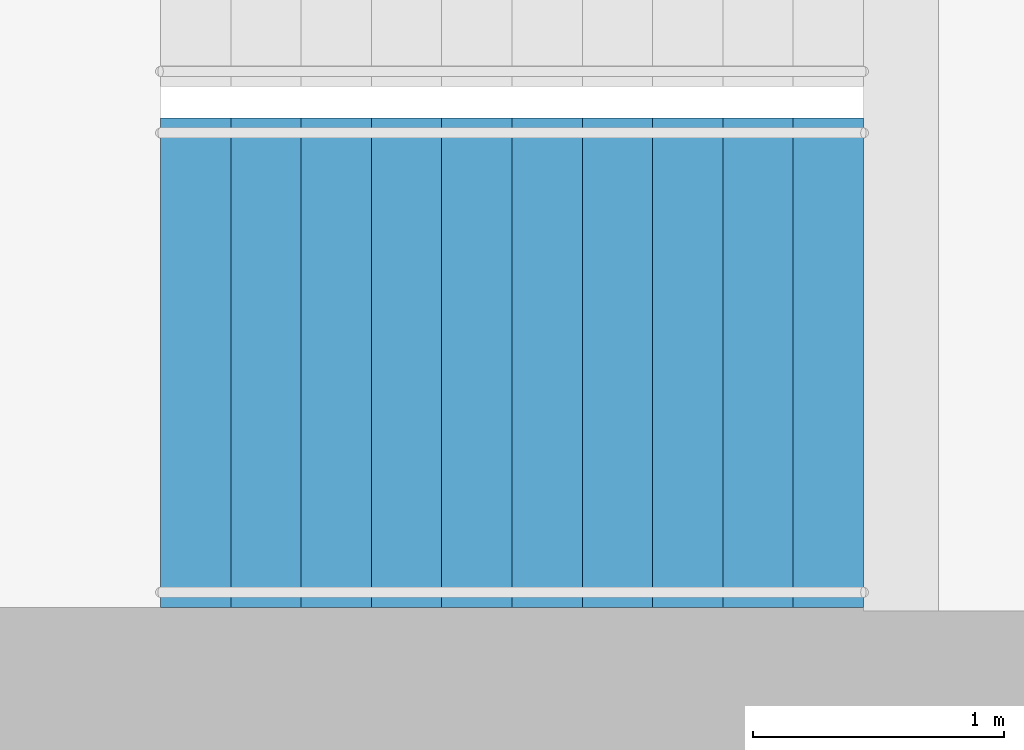
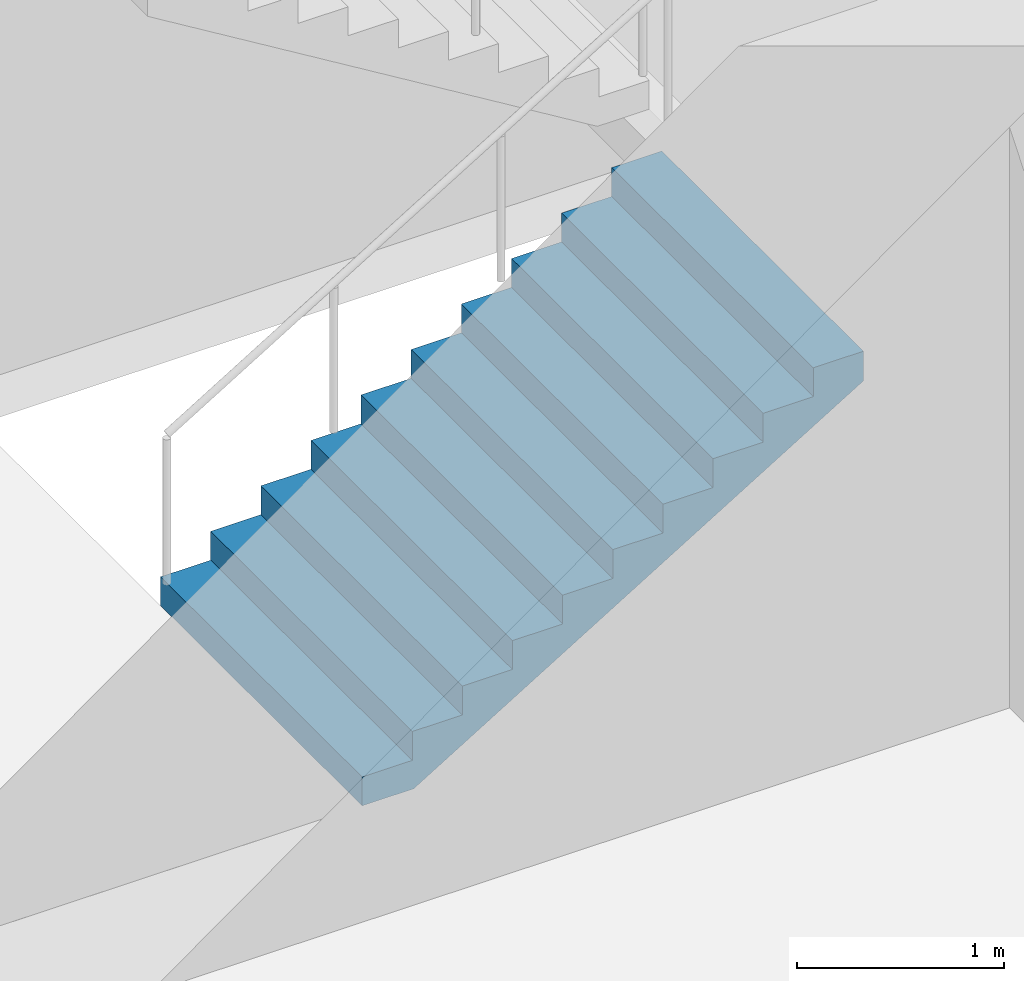
# One storey, part 18 of 22: 1 stair flight, 1 element without a shape of its own.
"""IFC4 building model written with IfcOpenShell, lengths in metres."""

import ifcopenshell
import ifcopenshell.guid

model = None  # the IFC model being written
_history = None  # IfcOwnerHistory: only IFC2X3 demands one
_inside = {}  # id of a spatial element -> (the spatial element, [elements in it])
_under = {}  # id of a project, library or spatial element -> (it, [spatial elements below it])
_declared = {}  # id of a project -> (the project, [libraries it declares])
_typed = {}  # id of a type object -> (the type object, [elements of that type])
_made_of = {}  # id of a material, layer set ... -> (it, [elements and type objects made of it])


def new_model(schema):
    """Start an empty IFC model of exactly this schema.

    Asked for "IFC4X3", IfcOpenShell would pick the latest addendum, in which some entities
    have other attributes; the version numbers below select the first issue.
    IFC2X3 requires an IfcOwnerHistory on every rooted entity: one is made here for all.
    """
    global model, _history
    if schema == "IFC4X3":
        model = ifcopenshell.file(schema_version=(4, 3, 0, 0))
    else:
        model = ifcopenshell.file(schema=schema)
    _inside.clear()
    _under.clear()
    _declared.clear()
    _typed.clear()
    _made_of.clear()
    _history = None
    if model.schema == "IFC2X3":
        org = make("IfcOrganization", Name="unknown")
        user = make(
            "IfcPersonAndOrganization",
            ThePerson=make("IfcPerson", FamilyName="unknown"),
            TheOrganization=org,
        )
        app = make(
            "IfcApplication",
            ApplicationDeveloper=org,
            Version="unknown",
            ApplicationFullName="unknown",
            ApplicationIdentifier="unknown",
        )
        _history = make(
            "IfcOwnerHistory",
            OwningUser=user,
            OwningApplication=app,
            ChangeAction="ADDED",
            CreationDate=0,
        )
    return model


def make(cls, **values):
    """One entity of the class cls with the attributes given. An attribute that is None is left unset."""
    return model.create_entity(
        cls, **{name: value for name, value in values.items() if value is not None}
    )


def rooted(cls, **values):
    """An entity with a GlobalId (a new one), such as an element, a storey or a relation."""
    return make(cls, GlobalId=ifcopenshell.guid.new(), OwnerHistory=_history, **values)


def si_unit(unit_type, name, prefix=None):
    """IfcSIUnit, for example si_unit("LENGTHUNIT", "METRE", prefix="MILLI")."""
    return make("IfcSIUnit", UnitType=unit_type, Prefix=prefix, Name=name)


def assignment(units):
    """IfcUnitAssignment: the units of a project."""
    return None if units is None else make("IfcUnitAssignment", Units=units)


def point(xyz):
    """IfcCartesianPoint."""
    return None if xyz is None else make("IfcCartesianPoint", Coordinates=xyz)


def direction(xyz):
    """IfcDirection."""
    return None if xyz is None else make("IfcDirection", DirectionRatios=xyz)


def frame(location, z_axis=None, x_axis=None):
    """IfcAxis2Placement3D, a coordinate frame: its origin and axes. An axis left out is left unset."""
    return make(
        "IfcAxis2Placement3D",
        Location=point(location),
        Axis=direction(z_axis),
        RefDirection=direction(x_axis),
    )


def origin():
    """The frame at (0, 0, 0) with its axes left unset."""
    return frame((0.0, 0.0, 0.0))


def place(relative_to, where):
    """IfcLocalPlacement: puts the frame where relative to a parent placement (None: the world)."""
    return make(
        "IfcLocalPlacement", PlacementRelTo=relative_to, RelativePlacement=where
    )


def context(
    kind, dimensions, precision=None, world=None, true_north=None, identifier=None
):
    """IfcGeometricRepresentationContext, for example the 3D "Model" context."""
    return make(
        "IfcGeometricRepresentationContext",
        ContextIdentifier=identifier,
        ContextType=kind,
        CoordinateSpaceDimension=dimensions,
        Precision=precision,
        WorldCoordinateSystem=world,
        TrueNorth=true_north,
    )


def subcontext(parent, identifier, kind, view, scale=None):
    """IfcGeometricRepresentationSubContext, for example "Body" below "Model"."""
    return make(
        "IfcGeometricRepresentationSubContext",
        ContextIdentifier=identifier,
        ContextType=kind,
        ParentContext=parent,
        TargetScale=scale,
        TargetView=view,
    )


def project(units=None, contexts=None):
    """IfcProject with its units and contexts."""
    return rooted(
        "IfcProject",
        Name="project",
        RepresentationContexts=contexts,
        UnitsInContext=assignment(units),
    )


def spatial(cls, under=None, at=None, **own):
    """A site, building, storey or space (cls), placed at a placement, below another one or the project."""
    s = rooted(cls, ObjectPlacement=at, **own)
    if under is not None:
        _under.setdefault(under.id(), (under, []))[1].append(s)
    return s


def point_list(points):
    """IfcCartesianPointList2D or 3D."""
    cls = (
        "IfcCartesianPointList2D" if len(points[0]) == 2 else "IfcCartesianPointList3D"
    )
    return make(cls, CoordList=points)


def triangles(points, corners, closed=None, point_numbers=None):
    """IfcTriangulatedFaceSet: each triangle names its three corners, points numbered from 1."""
    return make(
        "IfcTriangulatedFaceSet",
        Coordinates=point_list(points),
        Closed=closed,
        CoordIndex=corners,
        PnIndex=point_numbers,
    )


def shape(context_of_items, identifier, shape_type, items):
    """IfcShapeRepresentation: the items that make up one representation, for example the "Body"."""
    return make(
        "IfcShapeRepresentation",
        ContextOfItems=context_of_items,
        RepresentationIdentifier=identifier,
        RepresentationType=shape_type,
        Items=items,
    )


def material(Name=None, Category=None):
    """IfcMaterial."""
    return make("IfcMaterial", Name=Name, Category=Category)


def made_of(thing, what):
    """Note that an element or type object is made of a material, layer set ...; save() writes the relation."""
    if what is not None:
        _made_of.setdefault(what.id(), (what, []))[1].append(thing)
    return thing


def type_object(cls, material=None, **own):
    """A type object (cls), such as IfcWallType, which elements share."""
    return made_of(rooted(cls, **own), material)


def element(
    cls,
    number,
    at=None,
    inside=None,
    cuts=None,
    type_object=None,
    material=None,
    context=None,
    identifier="Body",
    shape_type=None,
    held_by="IfcProductDefinitionShape",
    body=None,
    shapes=None,
    **own,
):
    """One element of the class cls, such as IfcWall. Its Tag is "e" and its number.

    at: its placement. inside: the storey or other place that contains it. cuts: it is an
    opening in that element (IfcRelVoidsElement). A single representation is given by context,
    identifier, shape_type and body (its items); several are given by shapes. held_by: the class
    of the entity that holds the representations. save() writes the other relations.
    """
    e = rooted(cls, Tag="e%d" % number, ObjectPlacement=at, **own)
    if body is not None:
        shapes = [shape(context, identifier, shape_type, body)]
    if shapes is not None:
        e.Representation = make(held_by, Representations=shapes)
    if inside is not None:
        _inside.setdefault(inside.id(), (inside, []))[1].append(e)
    if cuts is not None:
        rooted(
            "IfcRelVoidsElement", RelatingBuildingElement=cuts, RelatedOpeningElement=e
        )
    if type_object is not None:
        _typed.setdefault(type_object.id(), (type_object, []))[1].append(e)
    return made_of(e, material)


def aggregate(whole, parts):
    """IfcRelAggregates: a whole, such as a stair, and the parts it consists of."""
    return rooted("IfcRelAggregates", RelatingObject=whole, RelatedObjects=parts)


def save(model, path):
    """Write the relations noted so far, then the file.

    IfcRelAggregates (storeys below a building ...), IfcRelContainedInSpatialStructure (elements
    in a storey), IfcRelDefinesByType, IfcRelAssociatesMaterial and IfcRelDeclares: one each for
    every whole, place, type object, material and project.
    """
    for whole, parts in _under.values():
        aggregate(whole, parts)
    for where, things in _inside.values():
        rooted(
            "IfcRelContainedInSpatialStructure",
            RelatedElements=things,
            RelatingStructure=where,
        )
    for kind, things in _typed.values():
        rooted("IfcRelDefinesByType", RelatedObjects=things, RelatingType=kind)
    for what, things in _made_of.values():
        rooted("IfcRelAssociatesMaterial", RelatedObjects=things, RelatingMaterial=what)
    for by, libraries in _declared.values():
        rooted("IfcRelDeclares", RelatingContext=by, RelatedDefinitions=libraries)
    model.write(path)


model = new_model("IFC4")

# Units and contexts
model_context = context("Model", 3, precision=1e-05, world=origin(), true_north=direction((0.0, 1.0)))
body_context = subcontext(model_context, "Body", "Model", "MODEL_VIEW")
ifc_project = project(units=[si_unit("LENGTHUNIT", "METRE"), si_unit("AREAUNIT", "SQUARE_METRE"), si_unit("VOLUMEUNIT", "CUBIC_METRE"), si_unit("PLANEANGLEUNIT", "RADIAN"), si_unit("MASSUNIT", "GRAM", prefix="KILO")], contexts=[model_context])

# Site, building, storey
site_placement = place(None, origin())
site = spatial("IfcSite", under=ifc_project, at=site_placement, CompositionType="ELEMENT")
building_placement = place(site_placement, origin())
building = spatial("IfcBuilding", under=site, at=building_placement, Name="Orbita Commons", CompositionType="ELEMENT")
storey_placement = place(building_placement, frame((0.0, 0.0, 156.10009765625)))
storey = spatial("IfcBuildingStorey", under=building, at=storey_placement, Name="L38", CompositionType="ELEMENT", Elevation=156.10009765625)

# Stair, stair flight
ifc_material_1 = material(Name="Precast concrete C40/50", Category="concrete")
stair_type = type_object("IfcStairType", Name="Exit stair S1 2 flights 11 risers 170", PredefinedType="HALF_TURN_STAIR", material=ifc_material_1)
stair_placement = place(storey_placement, origin())
stair = element("IfcStair", 1, at=stair_placement, inside=storey, type_object=stair_type, Name="Exit stair S1 L38", PredefinedType="HALF_TURN_STAIR")
ifc_material_2 = material(Name="Precast concrete C40/50", Category="concrete")
stair_flight_type = type_object("IfcStairFlightType", Name="Stair flight 11 risers 170 x 280", PredefinedType="STRAIGHT", material=ifc_material_2)
stair_flight_placement = place(storey_placement, frame((20.449951171875, 27.199951171875, 0.0), z_axis=(0.0, 0.0, 1.0), x_axis=(1.0, 0.0, 0.0)))
stair_flight = element("IfcStairFlight", 2, at=stair_flight_placement, type_object=stair_flight_type, Name="S1 flight 1", NumberOfRisers=11, NumberOfTreads=10, PredefinedType="STRAIGHT", RiserHeight=0.170454545, TreadLength=0.28, context=body_context, shape_type="Tessellation", body=[
    triangles([(0.0, 0.974976, 0.0), (0.0, 0.974976, 0.021307), (0.0, 0.81248, 0.021307), (0.0, 0.81248, 0.0), (0.0, 0.649984, 0.021307), (0.0, 0.649984, 0.0), (0.0, 0.487488, 0.021307), (0.0, 0.487488, 0.0), (0.0, 0.324992, 0.021307), (0.0, 0.324992, 0.0), (0.0, 0.162496, 0.021307), (0.0, 0.162496, 0.0), (0.0, 0.0, 0.021307), (0.0, 0.0, 0.0), (0.0, -0.162496, 0.021307), (0.0, -0.162496, 0.0), (0.0, -0.324992, 0.021307), (0.0, -0.324992, 0.0), (0.0, -0.487488, 0.021307), (0.0, -0.487488, 0.0), (0.0, -0.649984, 0.021307), (0.0, -0.649984, 0.0), (0.0, -0.81248, 0.021307), (0.0, -0.81248, 0.0), (0.0, -0.974976, 0.021307), (0.0, -0.974976, 0.0), (0.0, 0.974976, 0.042614), (0.0, 0.81248, 0.042614), (0.0, 0.649984, 0.042614), (0.0, 0.487488, 0.042614), (0.0, 0.324992, 0.042614), (0.0, 0.162496, 0.042614), (0.0, 0.0, 0.042614), (0.0, -0.162496, 0.042614), (0.0, -0.324992, 0.042614), (0.0, -0.487488, 0.042614), (0.0, -0.649984, 0.042614), (0.0, -0.81248, 0.042614), (0.0, -0.974976, 0.042614), (0.0, 0.974976, 0.06392), (0.0, 0.81248, 0.06392), (0.0, 0.649984, 0.06392), (0.0, 0.487488, 0.06392), (0.0, 0.324992, 0.06392), (0.0, 0.162496, 0.06392), (0.0, 0.0, 0.06392), (0.0, -0.162496, 0.06392), (0.0, -0.324992, 0.06392), (0.0, -0.487488, 0.06392), (0.0, -0.649984, 0.06392), (0.0, -0.81248, 0.06392), (0.0, -0.974976, 0.06392), (0.0, 0.974976, 0.085227), (0.0, 0.81248, 0.085227), (0.0, 0.649984, 0.085227), (0.0, 0.487488, 0.085227), (0.0, 0.324992, 0.085227), (0.0, 0.162496, 0.085227), (0.0, 0.0, 0.085227), (0.0, -0.162496, 0.085227), (0.0, -0.324992, 0.085227), (0.0, -0.487488, 0.085227), (0.0, -0.649984, 0.085227), (0.0, -0.81248, 0.085227), (0.0, -0.974976, 0.085227), (0.0, 0.974976, 0.106534), (0.0, 0.81248, 0.106534), (0.0, 0.649984, 0.106534), (0.0, 0.487488, 0.106534), (0.0, 0.324992, 0.106534), (0.0, 0.162496, 0.106534), (0.0, 0.0, 0.106534), (0.0, -0.162496, 0.106534), (0.0, -0.324992, 0.106534), (0.0, -0.487488, 0.106534), (0.0, -0.649984, 0.106534), (0.0, -0.81248, 0.106534), (0.0, -0.974976, 0.106534), (0.0, 0.974976, 0.127841), (0.0, 0.81248, 0.127841), (0.0, 0.649984, 0.127841), (0.0, 0.487488, 0.127841), (0.0, 0.324992, 0.127841), (0.0, 0.162496, 0.127841), (0.0, 0.0, 0.127841), (0.0, -0.162496, 0.127841), (0.0, -0.324992, 0.127841), (0.0, -0.487488, 0.127841), (0.0, -0.649984, 0.127841), (0.0, -0.81248, 0.127841), (0.0, -0.974976, 0.127841), (0.0, 0.974976, 0.149148), (0.0, 0.81248, 0.149148), (0.0, 0.649984, 0.149148), (0.0, 0.487488, 0.149148), (0.0, 0.324992, 0.149148), (0.0, 0.162496, 0.149148), (0.0, 0.0, 0.149148), (0.0, -0.162496, 0.149148), (0.0, -0.324992, 0.149148), (0.0, -0.487488, 0.149148), (0.0, -0.649984, 0.149148), (0.0, -0.81248, 0.149148), (0.0, -0.974976, 0.149148), (0.0, 0.974976, 0.170455), (0.0, 0.81248, 0.170455), (0.0, 0.649984, 0.170455), (0.0, 0.487488, 0.170455), (0.0, 0.324992, 0.170455), (0.0, 0.162496, 0.170455), (0.0, 0.0, 0.170455), (0.0, -0.162496, 0.170455), (0.0, -0.324992, 0.170455), (0.0, -0.487488, 0.170455), (0.0, -0.649984, 0.170455), (0.0, -0.81248, 0.170455), (0.0, -0.974976, 0.170455), (0.28, 0.974976, 0.170455), (0.28, 0.81248, 0.170455), (0.28, 0.649984, 0.170455), (0.28, 0.487488, 0.170455), (0.28, 0.324992, 0.170455), (0.28, 0.162496, 0.170455), (0.28, 0.0, 0.170455), (0.28, -0.162496, 0.170455), (0.28, -0.324992, 0.170455), (0.28, -0.487488, 0.170455), (0.28, -0.649984, 0.170455), (0.28, -0.81248, 0.170455), (0.28, -0.974976, 0.170455), (0.28, 0.974976, 0.340909), (0.28, 0.81248, 0.340909), (0.28, 0.649984, 0.340909), (0.28, 0.487488, 0.340909), (0.28, 0.324992, 0.340909), (0.28, 0.162496, 0.340909), (0.28, 0.0, 0.340909), (0.28, -0.162496, 0.340909), (0.28, -0.324992, 0.340909), (0.28, -0.487488, 0.340909), (0.28, -0.649984, 0.340909), (0.28, -0.81248, 0.340909), (0.28, -0.974976, 0.340909), (0.56, 0.974976, 0.340909), (0.56, 0.81248, 0.340909), (0.56, 0.649984, 0.340909), (0.56, 0.487488, 0.340909), (0.56, 0.324992, 0.340909), (0.56, 0.162496, 0.340909), (0.56, 0.0, 0.340909), (0.56, -0.162496, 0.340909), (0.56, -0.324992, 0.340909), (0.56, -0.487488, 0.340909), (0.56, -0.649984, 0.340909), (0.56, -0.81248, 0.340909), (0.56, -0.974976, 0.340909), (0.56, 0.974976, 0.511364), (0.56, 0.81248, 0.511364), (0.56, 0.649984, 0.511364), (0.56, 0.487488, 0.511364), (0.56, 0.324992, 0.511364), (0.56, 0.162496, 0.511364), (0.56, 0.0, 0.511364), (0.56, -0.162496, 0.511364), (0.56, -0.324992, 0.511364), (0.56, -0.487488, 0.511364), (0.56, -0.649984, 0.511364), (0.56, -0.81248, 0.511364), (0.56, -0.974976, 0.511364), (0.84, 0.974976, 0.511364), (0.84, 0.81248, 0.511364), (0.84, 0.649984, 0.511364), (0.84, 0.487488, 0.511364), (0.84, 0.324992, 0.511364), (0.84, 0.162496, 0.511364), (0.84, 0.0, 0.511364), (0.84, -0.162496, 0.511364), (0.84, -0.324992, 0.511364), (0.84, -0.487488, 0.511364), (0.84, -0.649984, 0.511364), (0.84, -0.81248, 0.511364), (0.84, -0.974976, 0.511364), (0.84, 0.974976, 0.681818), (0.84, 0.81248, 0.681818), (0.84, 0.649984, 0.681818), (0.84, 0.487488, 0.681818), (0.84, 0.324992, 0.681818), (0.84, 0.162496, 0.681818), (0.84, 0.0, 0.681818), (0.84, -0.162496, 0.681818), (0.84, -0.324992, 0.681818), (0.84, -0.487488, 0.681818), (0.84, -0.649984, 0.681818), (0.84, -0.81248, 0.681818), (0.84, -0.974976, 0.681818), (1.12, 0.974976, 0.681818), (1.12, 0.81248, 0.681818), (1.12, 0.649984, 0.681818), (1.12, 0.487488, 0.681818), (1.12, 0.324992, 0.681818), (1.12, 0.162496, 0.681818), (1.12, 0.0, 0.681818), (1.12, -0.162496, 0.681818), (1.12, -0.324992, 0.681818), (1.12, -0.487488, 0.681818), (1.12, -0.649984, 0.681818), (1.12, -0.81248, 0.681818), (1.12, -0.974976, 0.681818), (1.12, 0.974976, 0.852273), (1.12, 0.81248, 0.852273), (1.12, 0.649984, 0.852273), (1.12, 0.487488, 0.852273), (1.12, 0.324992, 0.852273), (1.12, 0.162496, 0.852273), (1.12, 0.0, 0.852273), (1.12, -0.162496, 0.852273), (1.12, -0.324992, 0.852273), (1.12, -0.487488, 0.852273), (1.12, -0.649984, 0.852273), (1.12, -0.81248, 0.852273), (1.12, -0.974976, 0.852273), (1.4, 0.974976, 0.852273), (1.4, 0.81248, 0.852273), (1.4, 0.649984, 0.852273), (1.4, 0.487488, 0.852273), (1.4, 0.324992, 0.852273), (1.4, 0.162496, 0.852273), (1.4, 0.0, 0.852273), (1.4, -0.162496, 0.852273), (1.4, -0.324992, 0.852273), (1.4, -0.487488, 0.852273), (1.4, -0.649984, 0.852273), (1.4, -0.81248, 0.852273), (1.4, -0.974976, 0.852273), (1.4, 0.974976, 1.022727), (1.4, 0.81248, 1.022727), (1.4, 0.649984, 1.022727), (1.4, 0.487488, 1.022727), (1.4, 0.324992, 1.022727), (1.4, 0.162496, 1.022727), (1.4, 0.0, 1.022727), (1.4, -0.162496, 1.022727), (1.4, -0.324992, 1.022727), (1.4, -0.487488, 1.022727), (1.4, -0.649984, 1.022727), (1.4, -0.81248, 1.022727), (1.4, -0.974976, 1.022727), (1.68, 0.974976, 1.022727), (1.68, 0.81248, 1.022727), (1.68, 0.649984, 1.022727), (1.68, 0.487488, 1.022727), (1.68, 0.324992, 1.022727), (1.68, 0.162496, 1.022727), (1.68, 0.0, 1.022727), (1.68, -0.162496, 1.022727), (1.68, -0.324992, 1.022727), (1.68, -0.487488, 1.022727), (1.68, -0.649984, 1.022727), (1.68, -0.81248, 1.022727), (1.68, -0.974976, 1.022727), (1.68, 0.974976, 1.193182), (1.68, 0.81248, 1.193182), (1.68, 0.649984, 1.193182), (1.68, 0.487488, 1.193182), (1.68, 0.324992, 1.193182), (1.68, 0.162496, 1.193182), (1.68, 0.0, 1.193182), (1.68, -0.162496, 1.193182), (1.68, -0.324992, 1.193182), (1.68, -0.487488, 1.193182), (1.68, -0.649984, 1.193182), (1.68, -0.81248, 1.193182), (1.68, -0.974976, 1.193182), (1.96, 0.974976, 1.193182), (1.96, 0.81248, 1.193182), (1.96, 0.649984, 1.193182), (1.96, 0.487488, 1.193182), (1.96, 0.324992, 1.193182), (1.96, 0.162496, 1.193182), (1.96, 0.0, 1.193182), (1.96, -0.162496, 1.193182), (1.96, -0.324992, 1.193182), (1.96, -0.487488, 1.193182), (1.96, -0.649984, 1.193182), (1.96, -0.81248, 1.193182), (1.96, -0.974976, 1.193182), (1.96, 0.974976, 1.363636), (1.96, 0.81248, 1.363636), (1.96, 0.649984, 1.363636), (1.96, 0.487488, 1.363636), (1.96, 0.324992, 1.363636), (1.96, 0.162496, 1.363636), (1.96, 0.0, 1.363636), (1.96, -0.162496, 1.363636), (1.96, -0.324992, 1.363636), (1.96, -0.487488, 1.363636), (1.96, -0.649984, 1.363636), (1.96, -0.81248, 1.363636), (1.96, -0.974976, 1.363636), (2.24, 0.974976, 1.363636), (2.24, 0.81248, 1.363636), (2.24, 0.649984, 1.363636), (2.24, 0.487488, 1.363636), (2.24, 0.324992, 1.363636), (2.24, 0.162496, 1.363636), (2.24, 0.0, 1.363636), (2.24, -0.162496, 1.363636), (2.24, -0.324992, 1.363636), (2.24, -0.487488, 1.363636), (2.24, -0.649984, 1.363636), (2.24, -0.81248, 1.363636), (2.24, -0.974976, 1.363636), (2.24, 0.974976, 1.534091), (2.24, 0.81248, 1.534091), (2.24, 0.649984, 1.534091), (2.24, 0.487488, 1.534091), (2.24, 0.324992, 1.534091), (2.24, 0.162496, 1.534091), (2.24, 0.0, 1.534091), (2.24, -0.162496, 1.534091), (2.24, -0.324992, 1.534091), (2.24, -0.487488, 1.534091), (2.24, -0.649984, 1.534091), (2.24, -0.81248, 1.534091), (2.24, -0.974976, 1.534091), (2.52, 0.974976, 1.534091), (2.52, 0.81248, 1.534091), (2.52, 0.649984, 1.534091), (2.52, 0.487488, 1.534091), (2.52, 0.324992, 1.534091), (2.52, 0.162496, 1.534091), (2.52, 0.0, 1.534091), (2.52, -0.162496, 1.534091), (2.52, -0.324992, 1.534091), (2.52, -0.487488, 1.534091), (2.52, -0.649984, 1.534091), (2.52, -0.81248, 1.534091), (2.52, -0.974976, 1.534091), (2.52, 0.974976, 1.704545), (2.52, 0.81248, 1.704545), (2.52, 0.649984, 1.704545), (2.52, 0.487488, 1.704545), (2.52, 0.324992, 1.704545), (2.52, 0.162496, 1.704545), (2.52, 0.0, 1.704545), (2.52, -0.162496, 1.704545), (2.52, -0.324992, 1.704545), (2.52, -0.487488, 1.704545), (2.52, -0.649984, 1.704545), (2.52, -0.81248, 1.704545), (2.52, -0.974976, 1.704545), (2.8, 0.974976, 1.704545), (2.8, 0.81248, 1.704545), (2.8, 0.649984, 1.704545), (2.8, 0.487488, 1.704545), (2.8, 0.324992, 1.704545), (2.8, 0.162496, 1.704545), (2.8, 0.0, 1.704545), (2.8, -0.162496, 1.704545), (2.8, -0.324992, 1.704545), (2.8, -0.487488, 1.704545), (2.8, -0.649984, 1.704545), (2.8, -0.81248, 1.704545), (2.8, -0.974976, 1.704545), (2.8, 0.974976, 1.682609), (2.8, 0.81248, 1.682609), (2.8, 0.649984, 1.682609), (2.8, 0.487488, 1.682609), (2.8, 0.324992, 1.682609), (2.8, 0.162496, 1.682609), (2.8, 0.0, 1.682609), (2.8, -0.162496, 1.682609), (2.8, -0.324992, 1.682609), (2.8, -0.487488, 1.682609), (2.8, -0.649984, 1.682609), (2.8, -0.81248, 1.682609), (2.8, -0.974976, 1.682609), (2.8, 0.974976, 1.660672), (2.8, 0.81248, 1.660672), (2.8, 0.649984, 1.660672), (2.8, 0.487488, 1.660672), (2.8, 0.324992, 1.660672), (2.8, 0.162496, 1.660672), (2.8, 0.0, 1.660672), (2.8, -0.162496, 1.660672), (2.8, -0.324992, 1.660672), (2.8, -0.487488, 1.660672), (2.8, -0.649984, 1.660672), (2.8, -0.81248, 1.660672), (2.8, -0.974976, 1.660672), (2.8, 0.974976, 1.638735), (2.8, 0.81248, 1.638735), (2.8, 0.649984, 1.638735), (2.8, 0.487488, 1.638735), (2.8, 0.324992, 1.638735), (2.8, 0.162496, 1.638735), (2.8, 0.0, 1.638735), (2.8, -0.162496, 1.638735), (2.8, -0.324992, 1.638735), (2.8, -0.487488, 1.638735), (2.8, -0.649984, 1.638735), (2.8, -0.81248, 1.638735), (2.8, -0.974976, 1.638735), (2.8, 0.974976, 1.616798), (2.8, 0.81248, 1.616798), (2.8, 0.649984, 1.616798), (2.8, 0.487488, 1.616798), (2.8, 0.324992, 1.616798), (2.8, 0.162496, 1.616798), (2.8, 0.0, 1.616798), (2.8, -0.162496, 1.616798), (2.8, -0.324992, 1.616798), (2.8, -0.487488, 1.616798), (2.8, -0.649984, 1.616798), (2.8, -0.81248, 1.616798), (2.8, -0.974976, 1.616798), (2.8, 0.974976, 1.594861), (2.8, 0.81248, 1.594861), (2.8, 0.649984, 1.594861), (2.8, 0.487488, 1.594861), (2.8, 0.324992, 1.594861), (2.8, 0.162496, 1.594861), (2.8, 0.0, 1.594861), (2.8, -0.162496, 1.594861), (2.8, -0.324992, 1.594861), (2.8, -0.487488, 1.594861), (2.8, -0.649984, 1.594861), (2.8, -0.81248, 1.594861), (2.8, -0.974976, 1.594861), (2.8, 0.974976, 1.572925), (2.8, 0.81248, 1.572925), (2.8, 0.649984, 1.572925), (2.8, 0.487488, 1.572925), (2.8, 0.324992, 1.572925), (2.8, 0.162496, 1.572925), (2.8, 0.0, 1.572925), (2.8, -0.162496, 1.572925), (2.8, -0.324992, 1.572925), (2.8, -0.487488, 1.572925), (2.8, -0.649984, 1.572925), (2.8, -0.81248, 1.572925), (2.8, -0.974976, 1.572925), (2.8, 0.974976, 1.550988), (2.8, 0.81248, 1.550988), (2.8, 0.649984, 1.550988), (2.8, 0.487488, 1.550988), (2.8, 0.324992, 1.550988), (2.8, 0.162496, 1.550988), (2.8, 0.0, 1.550988), (2.8, -0.162496, 1.550988), (2.8, -0.324992, 1.550988), (2.8, -0.487488, 1.550988), (2.8, -0.649984, 1.550988), (2.8, -0.81248, 1.550988), (2.8, -0.974976, 1.550988), (2.8, 0.974976, 1.529051), (2.8, 0.81248, 1.529051), (2.8, 0.649984, 1.529051), (2.8, 0.487488, 1.529051), (2.8, 0.324992, 1.529051), (2.8, 0.162496, 1.529051), (2.8, 0.0, 1.529051), (2.8, -0.162496, 1.529051), (2.8, -0.324992, 1.529051), (2.8, -0.487488, 1.529051), (2.8, -0.649984, 1.529051), (2.8, -0.81248, 1.529051), (2.8, -0.974976, 1.529051), (0.288279, 0.974976, 0.0), (0.288279, 0.81248, 0.0), (0.288279, 0.649984, 0.0), (0.288279, 0.487488, 0.0), (0.288279, 0.324992, 0.0), (0.288279, 0.162496, 0.0), (0.288279, 0.0, 0.0), (0.288279, -0.162496, 0.0), (0.288279, -0.324992, 0.0), (0.288279, -0.487488, 0.0), (0.288279, -0.649984, 0.0), (0.288279, -0.81248, 0.0), (0.288279, -0.974976, 0.0)], [[3, 2, 1], [4, 3, 1], [5, 3, 4], [6, 5, 4], [7, 5, 6], [8, 7, 6], [9, 7, 8], [10, 9, 8], [11, 9, 10], [12, 11, 10], [13, 11, 12], [14, 13, 12], [15, 13, 14], [16, 15, 14], [17, 15, 16], [18, 17, 16], [19, 17, 18], [20, 19, 18], [21, 19, 20], [22, 21, 20], [23, 21, 22], [24, 23, 22], [25, 23, 24], [26, 25, 24], [28, 27, 2], [3, 28, 2], [29, 28, 3], [5, 29, 3], [30, 29, 5], [7, 30, 5], [31, 30, 7], [9, 31, 7], [32, 31, 9], [11, 32, 9], [33, 32, 11], [13, 33, 11], [34, 33, 13], [15, 34, 13], [35, 34, 15], [17, 35, 15], [36, 35, 17], [19, 36, 17], [37, 36, 19], [21, 37, 19], [38, 37, 21], [23, 38, 21], [39, 38, 23], [25, 39, 23], [41, 40, 27], [28, 41, 27], [42, 41, 28], [29, 42, 28], [43, 42, 29], [30, 43, 29], [44, 43, 30], [31, 44, 30], [45, 44, 31], [32, 45, 31], [46, 45, 32], [33, 46, 32], [47, 46, 33], [34, 47, 33], [48, 47, 34], [35, 48, 34], [49, 48, 35], [36, 49, 35], [50, 49, 36], [37, 50, 36], [51, 50, 37], [38, 51, 37], [52, 51, 38], [39, 52, 38], [54, 53, 40], [41, 54, 40], [55, 54, 41], [42, 55, 41], [56, 55, 42], [43, 56, 42], [57, 56, 43], [44, 57, 43], [58, 57, 44], [45, 58, 44], [59, 58, 45], [46, 59, 45], [60, 59, 46], [47, 60, 46], [61, 60, 47], [48, 61, 47], [62, 61, 48], [49, 62, 48], [63, 62, 49], [50, 63, 49], [64, 63, 50], [51, 64, 50], [65, 64, 51], [52, 65, 51], [67, 66, 53], [54, 67, 53], [68, 67, 54], [55, 68, 54], [69, 68, 55], [56, 69, 55], [70, 69, 56], [57, 70, 56], [71, 70, 57], [58, 71, 57], [72, 71, 58], [59, 72, 58], [73, 72, 59], [60, 73, 59], [74, 73, 60], [61, 74, 60], [75, 74, 61], [62, 75, 61], [76, 75, 62], [63, 76, 62], [77, 76, 63], [64, 77, 63], [78, 77, 64], [65, 78, 64], [80, 79, 66], [67, 80, 66], [81, 80, 67], [68, 81, 67], [82, 81, 68], [69, 82, 68], [83, 82, 69], [70, 83, 69], [84, 83, 70], [71, 84, 70], [85, 84, 71], [72, 85, 71], [86, 85, 72], [73, 86, 72], [87, 86, 73], [74, 87, 73], [88, 87, 74], [75, 88, 74], [89, 88, 75], [76, 89, 75], [90, 89, 76], [77, 90, 76], [91, 90, 77], [78, 91, 77], [93, 92, 79], [80, 93, 79], [94, 93, 80], [81, 94, 80], [95, 94, 81], [82, 95, 81], [96, 95, 82], [83, 96, 82], [97, 96, 83], [84, 97, 83], [98, 97, 84], [85, 98, 84], [99, 98, 85], [86, 99, 85], [100, 99, 86], [87, 100, 86], [101, 100, 87], [88, 101, 87], [102, 101, 88], [89, 102, 88], [103, 102, 89], [90, 103, 89], [104, 103, 90], [91, 104, 90], [106, 105, 92], [93, 106, 92], [107, 106, 93], [94, 107, 93], [108, 107, 94], [95, 108, 94], [109, 108, 95], [96, 109, 95], [110, 109, 96], [97, 110, 96], [111, 110, 97], [98, 111, 97], [112, 111, 98], [99, 112, 98], [113, 112, 99], [100, 113, 99], [114, 113, 100], [101, 114, 100], [115, 114, 101], [102, 115, 101], [116, 115, 102], [103, 116, 102], [117, 116, 103], [104, 117, 103], [119, 118, 105], [106, 119, 105], [120, 119, 106], [107, 120, 106], [121, 120, 107], [108, 121, 107], [122, 121, 108], [109, 122, 108], [123, 122, 109], [110, 123, 109], [124, 123, 110], [111, 124, 110], [125, 124, 111], [112, 125, 111], [126, 125, 112], [113, 126, 112], [127, 126, 113], [114, 127, 113], [128, 127, 114], [115, 128, 114], [129, 128, 115], [116, 129, 115], [130, 129, 116], [117, 130, 116], [132, 131, 118], [119, 132, 118], [133, 132, 119], [120, 133, 119], [134, 133, 120], [121, 134, 120], [135, 134, 121], [122, 135, 121], [136, 135, 122], [123, 136, 122], [137, 136, 123], [124, 137, 123], [138, 137, 124], [125, 138, 124], [139, 138, 125], [126, 139, 125], [140, 139, 126], [127, 140, 126], [141, 140, 127], [128, 141, 127], [142, 141, 128], [129, 142, 128], [143, 142, 129], [130, 143, 129], [145, 144, 131], [132, 145, 131], [146, 145, 132], [133, 146, 132], [147, 146, 133], [134, 147, 133], [148, 147, 134], [135, 148, 134], [149, 148, 135], [136, 149, 135], [150, 149, 136], [137, 150, 136], [151, 150, 137], [138, 151, 137], [152, 151, 138], [139, 152, 138], [153, 152, 139], [140, 153, 139], [154, 153, 140], [141, 154, 140], [155, 154, 141], [142, 155, 141], [156, 155, 142], [143, 156, 142], [158, 157, 144], [145, 158, 144], [159, 158, 145], [146, 159, 145], [160, 159, 146], [147, 160, 146], [161, 160, 147], [148, 161, 147], [162, 161, 148], [149, 162, 148], [163, 162, 149], [150, 163, 149], [164, 163, 150], [151, 164, 150], [165, 164, 151], [152, 165, 151], [166, 165, 152], [153, 166, 152], [167, 166, 153], [154, 167, 153], [168, 167, 154], [155, 168, 154], [169, 168, 155], [156, 169, 155], [171, 170, 157], [158, 171, 157], [172, 171, 158], [159, 172, 158], [173, 172, 159], [160, 173, 159], [174, 173, 160], [161, 174, 160], [175, 174, 161], [162, 175, 161], [176, 175, 162], [163, 176, 162], [177, 176, 163], [164, 177, 163], [178, 177, 164], [165, 178, 164], [179, 178, 165], [166, 179, 165], [180, 179, 166], [167, 180, 166], [181, 180, 167], [168, 181, 167], [182, 181, 168], [169, 182, 168], [184, 183, 170], [171, 184, 170], [185, 184, 171], [172, 185, 171], [186, 185, 172], [173, 186, 172], [187, 186, 173], [174, 187, 173], [188, 187, 174], [175, 188, 174], [189, 188, 175], [176, 189, 175], [190, 189, 176], [177, 190, 176], [191, 190, 177], [178, 191, 177], [192, 191, 178], [179, 192, 178], [193, 192, 179], [180, 193, 179], [194, 193, 180], [181, 194, 180], [195, 194, 181], [182, 195, 181], [197, 196, 183], [184, 197, 183], [198, 197, 184], [185, 198, 184], [199, 198, 185], [186, 199, 185], [200, 199, 186], [187, 200, 186], [201, 200, 187], [188, 201, 187], [202, 201, 188], [189, 202, 188], [203, 202, 189], [190, 203, 189], [204, 203, 190], [191, 204, 190], [205, 204, 191], [192, 205, 191], [206, 205, 192], [193, 206, 192], [207, 206, 193], [194, 207, 193], [208, 207, 194], [195, 208, 194], [210, 209, 196], [197, 210, 196], [211, 210, 197], [198, 211, 197], [212, 211, 198], [199, 212, 198], [213, 212, 199], [200, 213, 199], [214, 213, 200], [201, 214, 200], [215, 214, 201], [202, 215, 201], [216, 215, 202], [203, 216, 202], [217, 216, 203], [204, 217, 203], [218, 217, 204], [205, 218, 204], [219, 218, 205], [206, 219, 205], [220, 219, 206], [207, 220, 206], [221, 220, 207], [208, 221, 207], [223, 222, 209], [210, 223, 209], [224, 223, 210], [211, 224, 210], [225, 224, 211], [212, 225, 211], [226, 225, 212], [213, 226, 212], [227, 226, 213], [214, 227, 213], [228, 227, 214], [215, 228, 214], [229, 228, 215], [216, 229, 215], [230, 229, 216], [217, 230, 216], [231, 230, 217], [218, 231, 217], [232, 231, 218], [219, 232, 218], [233, 232, 219], [220, 233, 219], [234, 233, 220], [221, 234, 220], [236, 235, 222], [223, 236, 222], [237, 236, 223], [224, 237, 223], [238, 237, 224], [225, 238, 224], [239, 238, 225], [226, 239, 225], [240, 239, 226], [227, 240, 226], [241, 240, 227], [228, 241, 227], [242, 241, 228], [229, 242, 228], [243, 242, 229], [230, 243, 229], [244, 243, 230], [231, 244, 230], [245, 244, 231], [232, 245, 231], [246, 245, 232], [233, 246, 232], [247, 246, 233], [234, 247, 233], [249, 248, 235], [236, 249, 235], [250, 249, 236], [237, 250, 236], [251, 250, 237], [238, 251, 237], [252, 251, 238], [239, 252, 238], [253, 252, 239], [240, 253, 239], [254, 253, 240], [241, 254, 240], [255, 254, 241], [242, 255, 241], [256, 255, 242], [243, 256, 242], [257, 256, 243], [244, 257, 243], [258, 257, 244], [245, 258, 244], [259, 258, 245], [246, 259, 245], [260, 259, 246], [247, 260, 246], [262, 261, 248], [249, 262, 248], [263, 262, 249], [250, 263, 249], [264, 263, 250], [251, 264, 250], [265, 264, 251], [252, 265, 251], [266, 265, 252], [253, 266, 252], [267, 266, 253], [254, 267, 253], [268, 267, 254], [255, 268, 254], [269, 268, 255], [256, 269, 255], [270, 269, 256], [257, 270, 256], [271, 270, 257], [258, 271, 257], [272, 271, 258], [259, 272, 258], [273, 272, 259], [260, 273, 259], [275, 274, 261], [262, 275, 261], [276, 275, 262], [263, 276, 262], [277, 276, 263], [264, 277, 263], [278, 277, 264], [265, 278, 264], [279, 278, 265], [266, 279, 265], [280, 279, 266], [267, 280, 266], [281, 280, 267], [268, 281, 267], [282, 281, 268], [269, 282, 268], [283, 282, 269], [270, 283, 269], [284, 283, 270], [271, 284, 270], [285, 284, 271], [272, 285, 271], [286, 285, 272], [273, 286, 272], [288, 287, 274], [275, 288, 274], [289, 288, 275], [276, 289, 275], [290, 289, 276], [277, 290, 276], [291, 290, 277], [278, 291, 277], [292, 291, 278], [279, 292, 278], [293, 292, 279], [280, 293, 279], [294, 293, 280], [281, 294, 280], [295, 294, 281], [282, 295, 281], [296, 295, 282], [283, 296, 282], [297, 296, 283], [284, 297, 283], [298, 297, 284], [285, 298, 284], [299, 298, 285], [286, 299, 285], [301, 300, 287], [288, 301, 287], [302, 301, 288], [289, 302, 288], [303, 302, 289], [290, 303, 289], [304, 303, 290], [291, 304, 290], [305, 304, 291], [292, 305, 291], [306, 305, 292], [293, 306, 292], [307, 306, 293], [294, 307, 293], [308, 307, 294], [295, 308, 294], [309, 308, 295], [296, 309, 295], [310, 309, 296], [297, 310, 296], [311, 310, 297], [298, 311, 297], [312, 311, 298], [299, 312, 298], [314, 313, 300], [301, 314, 300], [315, 314, 301], [302, 315, 301], [316, 315, 302], [303, 316, 302], [317, 316, 303], [304, 317, 303], [318, 317, 304], [305, 318, 304], [319, 318, 305], [306, 319, 305], [320, 319, 306], [307, 320, 306], [321, 320, 307], [308, 321, 307], [322, 321, 308], [309, 322, 308], [323, 322, 309], [310, 323, 309], [324, 323, 310], [311, 324, 310], [325, 324, 311], [312, 325, 311], [327, 326, 313], [314, 327, 313], [328, 327, 314], [315, 328, 314], [329, 328, 315], [316, 329, 315], [330, 329, 316], [317, 330, 316], [331, 330, 317], [318, 331, 317], [332, 331, 318], [319, 332, 318], [333, 332, 319], [320, 333, 319], [334, 333, 320], [321, 334, 320], [335, 334, 321], [322, 335, 321], [336, 335, 322], [323, 336, 322], [337, 336, 323], [324, 337, 323], [338, 337, 324], [325, 338, 324], [340, 339, 326], [327, 340, 326], [341, 340, 327], [328, 341, 327], [342, 341, 328], [329, 342, 328], [343, 342, 329], [330, 343, 329], [344, 343, 330], [331, 344, 330], [345, 344, 331], [332, 345, 331], [346, 345, 332], [333, 346, 332], [347, 346, 333], [334, 347, 333], [348, 347, 334], [335, 348, 334], [349, 348, 335], [336, 349, 335], [350, 349, 336], [337, 350, 336], [351, 350, 337], [338, 351, 337], [353, 352, 339], [340, 353, 339], [354, 353, 340], [341, 354, 340], [355, 354, 341], [342, 355, 341], [356, 355, 342], [343, 356, 342], [357, 356, 343], [344, 357, 343], [358, 357, 344], [345, 358, 344], [359, 358, 345], [346, 359, 345], [360, 359, 346], [347, 360, 346], [361, 360, 347], [348, 361, 347], [362, 361, 348], [349, 362, 348], [363, 362, 349], [350, 363, 349], [364, 363, 350], [351, 364, 350], [366, 365, 352], [353, 366, 352], [367, 366, 353], [354, 367, 353], [368, 367, 354], [355, 368, 354], [369, 368, 355], [356, 369, 355], [370, 369, 356], [357, 370, 356], [371, 370, 357], [358, 371, 357], [372, 371, 358], [359, 372, 358], [373, 372, 359], [360, 373, 359], [374, 373, 360], [361, 374, 360], [375, 374, 361], [362, 375, 361], [376, 375, 362], [363, 376, 362], [377, 376, 363], [364, 377, 363], [379, 378, 365], [366, 379, 365], [380, 379, 366], [367, 380, 366], [381, 380, 367], [368, 381, 367], [382, 381, 368], [369, 382, 368], [383, 382, 369], [370, 383, 369], [384, 383, 370], [371, 384, 370], [385, 384, 371], [372, 385, 371], [386, 385, 372], [373, 386, 372], [387, 386, 373], [374, 387, 373], [388, 387, 374], [375, 388, 374], [389, 388, 375], [376, 389, 375], [390, 389, 376], [377, 390, 376], [392, 391, 378], [379, 392, 378], [393, 392, 379], [380, 393, 379], [394, 393, 380], [381, 394, 380], [395, 394, 381], [382, 395, 381], [396, 395, 382], [383, 396, 382], [397, 396, 383], [384, 397, 383], [398, 397, 384], [385, 398, 384], [399, 398, 385], [386, 399, 385], [400, 399, 386], [387, 400, 386], [401, 400, 387], [388, 401, 387], [402, 401, 388], [389, 402, 388], [403, 402, 389], [390, 403, 389], [405, 404, 391], [392, 405, 391], [406, 405, 392], [393, 406, 392], [407, 406, 393], [394, 407, 393], [408, 407, 394], [395, 408, 394], [409, 408, 395], [396, 409, 395], [410, 409, 396], [397, 410, 396], [411, 410, 397], [398, 411, 397], [412, 411, 398], [399, 412, 398], [413, 412, 399], [400, 413, 399], [414, 413, 400], [401, 414, 400], [415, 414, 401], [402, 415, 401], [416, 415, 402], [403, 416, 402], [418, 417, 404], [405, 418, 404], [419, 418, 405], [406, 419, 405], [420, 419, 406], [407, 420, 406], [421, 420, 407], [408, 421, 407], [422, 421, 408], [409, 422, 408], [423, 422, 409], [410, 423, 409], [424, 423, 410], [411, 424, 410], [425, 424, 411], [412, 425, 411], [426, 425, 412], [413, 426, 412], [427, 426, 413], [414, 427, 413], [428, 427, 414], [415, 428, 414], [429, 428, 415], [416, 429, 415], [431, 430, 417], [418, 431, 417], [432, 431, 418], [419, 432, 418], [433, 432, 419], [420, 433, 419], [434, 433, 420], [421, 434, 420], [435, 434, 421], [422, 435, 421], [436, 435, 422], [423, 436, 422], [437, 436, 423], [424, 437, 423], [438, 437, 424], [425, 438, 424], [439, 438, 425], [426, 439, 425], [440, 439, 426], [427, 440, 426], [441, 440, 427], [428, 441, 427], [442, 441, 428], [429, 442, 428], [444, 443, 430], [431, 444, 430], [445, 444, 431], [432, 445, 431], [446, 445, 432], [433, 446, 432], [447, 446, 433], [434, 447, 433], [448, 447, 434], [435, 448, 434], [449, 448, 435], [436, 449, 435], [450, 449, 436], [437, 450, 436], [451, 450, 437], [438, 451, 437], [452, 451, 438], [439, 452, 438], [453, 452, 439], [440, 453, 439], [454, 453, 440], [441, 454, 440], [455, 454, 441], [442, 455, 441], [457, 456, 443], [444, 457, 443], [458, 457, 444], [445, 458, 444], [459, 458, 445], [446, 459, 445], [460, 459, 446], [447, 460, 446], [461, 460, 447], [448, 461, 447], [462, 461, 448], [449, 462, 448], [463, 462, 449], [450, 463, 449], [464, 463, 450], [451, 464, 450], [465, 464, 451], [452, 465, 451], [466, 465, 452], [453, 466, 452], [467, 466, 453], [454, 467, 453], [468, 467, 454], [455, 468, 454], [470, 469, 456], [457, 470, 456], [471, 470, 457], [458, 471, 457], [472, 471, 458], [459, 472, 458], [473, 472, 459], [460, 473, 459], [474, 473, 460], [461, 474, 460], [475, 474, 461], [462, 475, 461], [476, 475, 462], [463, 476, 462], [477, 476, 463], [464, 477, 463], [478, 477, 464], [465, 478, 464], [479, 478, 465], [466, 479, 465], [480, 479, 466], [467, 480, 466], [481, 480, 467], [468, 481, 467], [4, 1, 469], [470, 4, 469], [6, 4, 470], [471, 6, 470], [8, 6, 471], [472, 8, 471], [10, 8, 472], [473, 10, 472], [12, 10, 473], [474, 12, 473], [14, 12, 474], [475, 14, 474], [16, 14, 475], [476, 16, 475], [18, 16, 476], [477, 18, 476], [20, 18, 477], [478, 20, 477], [22, 20, 478], [479, 22, 478], [24, 22, 479], [480, 24, 479], [26, 24, 480], [481, 26, 480], [456, 469, 1], [26, 481, 468], [443, 456, 1], [26, 468, 455], [430, 443, 1], [26, 455, 442], [417, 430, 1], [26, 442, 429], [404, 417, 1], [26, 429, 416], [391, 404, 1], [26, 416, 403], [378, 391, 1], [26, 403, 390], [365, 378, 1], [26, 390, 377], [339, 352, 365], [377, 364, 351], [326, 339, 365], [377, 351, 338], [300, 313, 326], [338, 325, 312], [300, 326, 365], [377, 338, 312], [274, 287, 300], [312, 299, 286], [274, 300, 365], [377, 312, 286], [248, 261, 274], [286, 273, 260], [248, 274, 365], [377, 286, 260], [222, 235, 248], [260, 247, 234], [222, 248, 365], [377, 260, 234], [196, 209, 222], [234, 221, 208], [196, 222, 365], [377, 234, 208], [170, 183, 196], [208, 195, 182], [170, 196, 365], [377, 208, 182], [144, 157, 170], [182, 169, 156], [144, 170, 365], [377, 182, 156], [118, 131, 144], [156, 143, 130], [118, 144, 365], [377, 156, 130], [118, 365, 1], [26, 377, 130], [92, 105, 118], [130, 117, 104], [79, 92, 118], [130, 104, 91], [66, 79, 118], [130, 91, 78], [53, 66, 118], [130, 78, 65], [40, 53, 118], [130, 65, 52], [27, 40, 118], [130, 52, 39], [2, 27, 118], [130, 39, 25], [1, 2, 118], [130, 25, 26]], closed=True),
])
aggregate(stair, [stair_flight])

save(model, "model.ifc")
